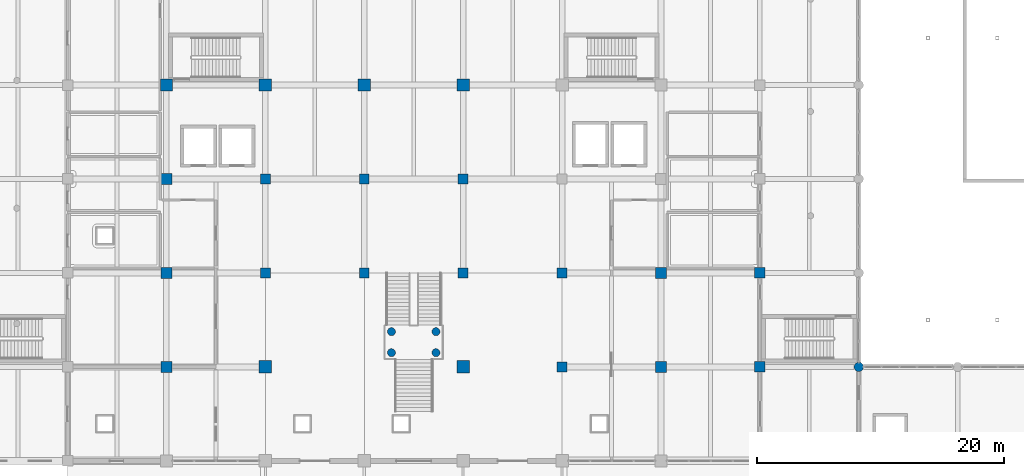
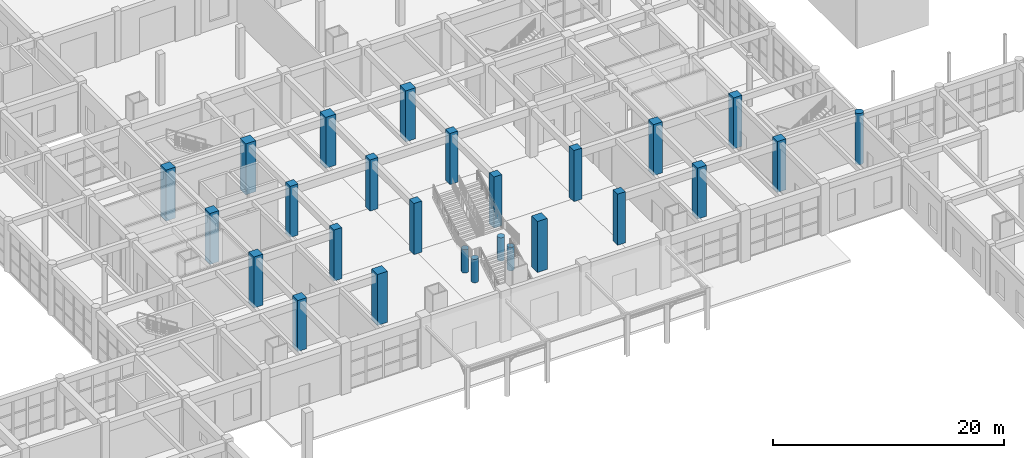
# One storey, part 4 of 95: 26 columns.
"""IFC4 building model written with IfcOpenShell, lengths in metres."""

from ifc_helpers import new_model, si_unit, direction, frame, origin, origin_2d, place, context, subcontext, project, spatial, rectangle, circle, extrude, material, material_profile, profile_set, type_object, element, save


model = new_model("IFC4")

# Units and contexts
model_context = context("Model", 3, precision=1e-05, world=origin(), true_north=direction((0.0, 1.0)))
body_context = subcontext(model_context, "Body", "Model", "MODEL_VIEW")
ifc_project = project(units=[si_unit("LENGTHUNIT", "METRE"), si_unit("AREAUNIT", "SQUARE_METRE"), si_unit("VOLUMEUNIT", "CUBIC_METRE"), si_unit("PLANEANGLEUNIT", "RADIAN"), si_unit("MASSUNIT", "GRAM", prefix="KILO")], contexts=[model_context])

# Site, building, storey
site_placement = place(None, origin())
site = spatial("IfcSite", under=ifc_project, at=site_placement, CompositionType="ELEMENT")
building_placement = place(site_placement, origin())
building = spatial("IfcBuilding", under=site, at=building_placement, Name="Zantavel Square City Hall", CompositionType="ELEMENT")
storey_placement = place(building_placement, origin())
storey = spatial("IfcBuildingStorey", under=building, at=storey_placement, Name="L01", CompositionType="ELEMENT", Elevation=0.0)

# Columns
ifc_material = material(Name="Concrete C40/50", Category="concrete")
ifc_material_profile_1 = material_profile(ifc_material, rectangle(XDim=1.0, YDim=1.0, at=origin_2d()), Name="RC 1000x1000")
ifc_profile_set_1 = profile_set([ifc_material_profile_1], Name="Concrete C40/50")
column_type_1 = type_object("IfcColumnType", Name="Column RC 1000x1000 C40/50", PredefinedType="COLUMN", material=ifc_profile_set_1)
for number, where, z_axis, x_axis, name in (
    (1, (72.0, 38.0, 0.0), (0.0, 0.0, 1.0), (1.0, 0.0, 0.0), "L01 Column COL-L01-0720-0380"),
    (2, (72.0, 60.800048828125, 0.0), (0.0, 0.0, 1.0), (1.0, 0.0, 0.0), "L01 Column COL-L01-0720-0608"),
    (3, (80.0, 60.800048828125, 0.0), (0.0, 0.0, 1.0), (1.0, 0.0, 0.0), "L01 Column COL-L01-0800-0608"),
    (4, (88.0, 38.0, 0.0), (0.0, 0.0, 1.0), (1.0, 0.0, 0.0), "L01 Column COL-L01-0880-0380"),
    (5, (88.0, 60.800048828125, 0.0), (0.0, 0.0, 1.0), (1.0, 0.0, 0.0), "L01 Column COL-L01-0880-0608"),
):
    element("IfcColumn", number, at=place(storey_placement, frame(where, z_axis=z_axis, x_axis=x_axis)), inside=storey, type_object=column_type_1, Name=name, PredefinedType="COLUMN", context=body_context, shape_type="SweptSolid", body=[
        extrude(rectangle(XDim=1.0, YDim=1.0, at=origin_2d()), origin(), (0.0, 0.0, 1.0), 5.39990234375),
    ])
ifc_material_profile_2 = material_profile(ifc_material, rectangle(XDim=0.800048828125, YDim=0.800048828125, at=origin_2d()), Name="RC 800x800")
ifc_profile_set_2 = profile_set([ifc_material_profile_2], Name="Concrete C40/50")
column_type_2 = type_object("IfcColumnType", Name="Column RC 800x800 C40/50", PredefinedType="COLUMN", material=ifc_profile_set_2)
for number, where, z_axis, x_axis, name in (
    (6, (72.0, 45.60009765625, 0.0), (0.0, 0.0, 1.0), (1.0, 0.0, 0.0), "L01 Column COL-L01-0720-0456"),
    (7, (72.0, 53.199951171875, 0.0), (0.0, 0.0, 1.0), (1.0, 0.0, 0.0), "L01 Column COL-L01-0720-0532"),
    (8, (80.0, 45.60009765625, 0.0), (0.0, 0.0, 1.0), (1.0, 0.0, 0.0), "L01 Column COL-L01-0800-0456"),
    (9, (80.0, 53.199951171875, 0.0), (0.0, 0.0, 1.0), (1.0, 0.0, 0.0), "L01 Column COL-L01-0800-0532"),
    (10, (88.0, 45.60009765625, 0.0), (0.0, 0.0, 1.0), (1.0, 0.0, 0.0), "L01 Column COL-L01-0880-0456"),
    (11, (88.0, 53.199951171875, 0.0), (0.0, 0.0, 1.0), (1.0, 0.0, 0.0), "L01 Column COL-L01-0880-0532"),
    (12, (96.0, 38.0, 0.0), (0.0, 0.0, 1.0), (1.0, 0.0, 0.0), "L01 Column COL-L01-0960-0380"),
    (13, (96.0, 45.60009765625, 0.0), (0.0, 0.0, 1.0), (1.0, 0.0, 0.0), "L01 Column COL-L01-0960-0456"),
):
    element("IfcColumn", number, at=place(storey_placement, frame(where, z_axis=z_axis, x_axis=x_axis)), inside=storey, type_object=column_type_2, Name=name, PredefinedType="COLUMN", context=body_context, shape_type="SweptSolid", body=[
        extrude(rectangle(XDim=0.800048828125, YDim=0.800048828125, at=origin_2d()), origin(), (0.0, 0.0, 1.0), 5.39990234375),
    ])
ifc_material_profile_3 = material_profile(ifc_material, rectangle(XDim=0.85009765625, YDim=0.85009765625, at=origin_2d()), Name="RC 850x850")
ifc_profile_set_3 = profile_set([ifc_material_profile_3], Name="Concrete C40/50")
column_type_3 = type_object("IfcColumnType", Name="Column RC 850x850 C40/50", PredefinedType="COLUMN", material=ifc_profile_set_3)
for number, where, z_axis, x_axis, name in (
    (14, (112.0, 38.0, 0.0), (0.0, 0.0, 1.0), (1.0, 0.0, 0.0), "L01 Column COL-L01-1120-0380"),
    (15, (112.0, 45.60009765625, 0.0), (0.0, 0.0, 1.0), (1.0, 0.0, 0.0), "L01 Column COL-L01-1120-0456"),
):
    element("IfcColumn", number, at=place(storey_placement, frame(where, z_axis=z_axis, x_axis=x_axis)), inside=storey, type_object=column_type_3, Name=name, PredefinedType="COLUMN", context=body_context, shape_type="SweptSolid", body=[
        extrude(rectangle(XDim=0.85009765625, YDim=0.85009765625, at=origin_2d()), origin(), (0.0, 0.0, 1.0), 5.39990234375),
    ])
ifc_material_profile_4 = material_profile(ifc_material, rectangle(XDim=0.89990234375, YDim=0.89990234375, at=origin_2d()), Name="RC 900x900")
ifc_profile_set_4 = profile_set([ifc_material_profile_4], Name="Concrete C40/50")
column_type_4 = type_object("IfcColumnType", Name="Column RC 900x900 C40/50", PredefinedType="COLUMN", material=ifc_profile_set_4)
for number, where, z_axis, x_axis, name in (
    (16, (64.0, 38.0, 0.0), (0.0, 0.0, 1.0), (1.0, 0.0, 0.0), "L01 Column COL-L01-0640-0380"),
    (17, (64.0, 45.60009765625, 0.0), (0.0, 0.0, 1.0), (1.0, 0.0, 0.0), "L01 Column COL-L01-0640-0456"),
    (18, (64.0, 53.199951171875, 0.0), (0.0, 0.0, 1.0), (1.0, 0.0, 0.0), "L01 Column COL-L01-0640-0532"),
    (19, (104.0, 38.0, 0.0), (0.0, 0.0, 1.0), (1.0, 0.0, 0.0), "L01 Column COL-L01-1040-0380"),
    (20, (104.0, 45.60009765625, 0.0), (0.0, 0.0, 1.0), (1.0, 0.0, 0.0), "L01 Column COL-L01-1040-0456"),
):
    element("IfcColumn", number, at=place(storey_placement, frame(where, z_axis=z_axis, x_axis=x_axis)), inside=storey, type_object=column_type_4, Name=name, PredefinedType="COLUMN", context=body_context, shape_type="SweptSolid", body=[
        extrude(rectangle(XDim=0.89990234375, YDim=0.89990234375, at=origin_2d()), origin(), (0.0, 0.0, 1.0), 5.39990234375),
    ])
ifc_material_profile_5 = material_profile(ifc_material, circle(Radius=0.375, at=origin_2d()), Name="ROUND D750")
ifc_profile_set_5 = profile_set([ifc_material_profile_5], Name="Concrete C40/50")
column_type_5 = type_object("IfcColumnType", Name="Courtyard Ionic Column D750 C40/50", PredefinedType="COLUMN", material=ifc_profile_set_5)
column_1_placement = place(storey_placement, frame((120.0, 38.0, 0.0), z_axis=(0.0, 0.0, 1.0), x_axis=(1.0, 0.0, 0.0)))
element("IfcColumn", 21, at=column_1_placement, inside=storey, type_object=column_type_5, Name="L01 Column COL-L01-1200-0380", PredefinedType="COLUMN", context=body_context, shape_type="SweptSolid", body=[
    extrude(circle(Radius=0.375, at=origin_2d()), origin(), (0.0, 0.0, 1.0), 5.39990234375),
])
ifc_material_profile_6 = material_profile(ifc_material, circle(Radius=0.324951171875, at=origin_2d()), Name="ROUND D650")
ifc_profile_set_6 = profile_set([ifc_material_profile_6], Name="Concrete C40/50")
column_type_6 = type_object("IfcColumnType", Name="Gallery Classical Column D650 C40/50", PredefinedType="COLUMN", material=ifc_profile_set_6)
for number, where, z_axis, x_axis, name in (
    (22, (82.199951171875, 39.14990234375, 0.0), (0.0, 0.0, 1.0), (1.0, 0.0, 0.0), "L01 Imperial Stair Landing Column 1"),
    (23, (85.800048828125, 39.14990234375, 0.0), (0.0, 0.0, 1.0), (1.0, 0.0, 0.0), "L01 Imperial Stair Landing Column 2"),
    (24, (82.199951171875, 40.85009765625, 0.0), (0.0, 0.0, 1.0), (1.0, 0.0, 0.0), "L01 Imperial Stair Landing Column 3"),
    (25, (85.800048828125, 40.85009765625, 0.0), (0.0, 0.0, 1.0), (1.0, 0.0, 0.0), "L01 Imperial Stair Landing Column 4"),
):
    element("IfcColumn", number, at=place(storey_placement, frame(where, z_axis=z_axis, x_axis=x_axis)), inside=storey, type_object=column_type_6, Name=name, PredefinedType="COLUMN", context=body_context, shape_type="SweptSolid", body=[
        extrude(circle(Radius=0.324951171875, at=origin_2d()), origin(), (0.0, 0.0, 1.0), 2.47998046875),
    ])
ifc_material_profile_7 = material_profile(ifc_material, rectangle(XDim=0.949951171875, YDim=0.949951171875, at=origin_2d()), Name="RC 950x950")
ifc_profile_set_7 = profile_set([ifc_material_profile_7], Name="Concrete C40/50")
column_type_7 = type_object("IfcColumnType", Name="Vault Corner Pier Column RC 950x950 C40/50", PredefinedType="COLUMN", material=ifc_profile_set_7)
column_2_placement = place(storey_placement, frame((64.0, 60.800048828125, 0.0), z_axis=(0.0, 0.0, 1.0), x_axis=(1.0, 0.0, 0.0)))
element("IfcColumn", 26, at=column_2_placement, inside=storey, type_object=column_type_7, Name="L01 Column COL-L01-0640-0608", PredefinedType="COLUMN", context=body_context, shape_type="SweptSolid", body=[
    extrude(rectangle(XDim=0.949951171875, YDim=0.949951171875, at=origin_2d()), origin(), (0.0, 0.0, 1.0), 5.39990234375),
])

save(model, "model.ifc")
